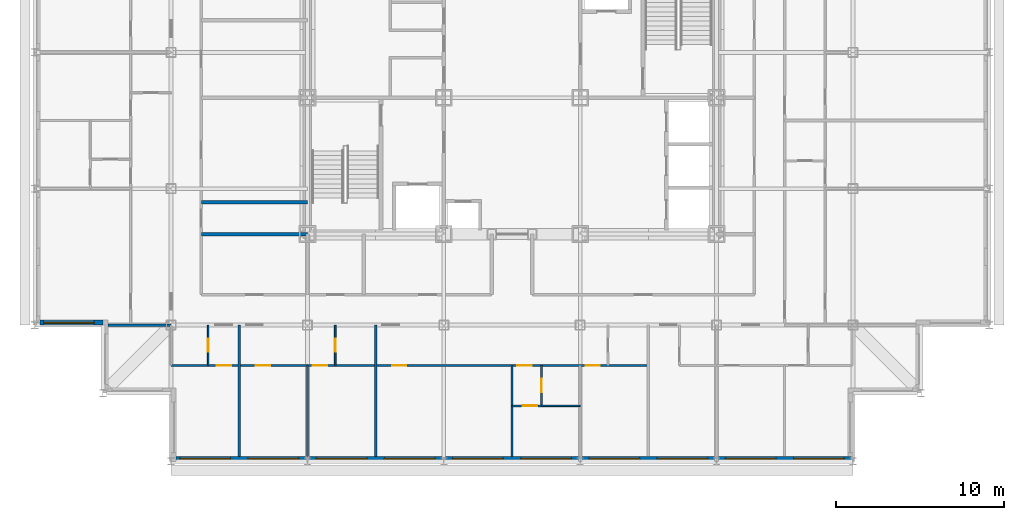
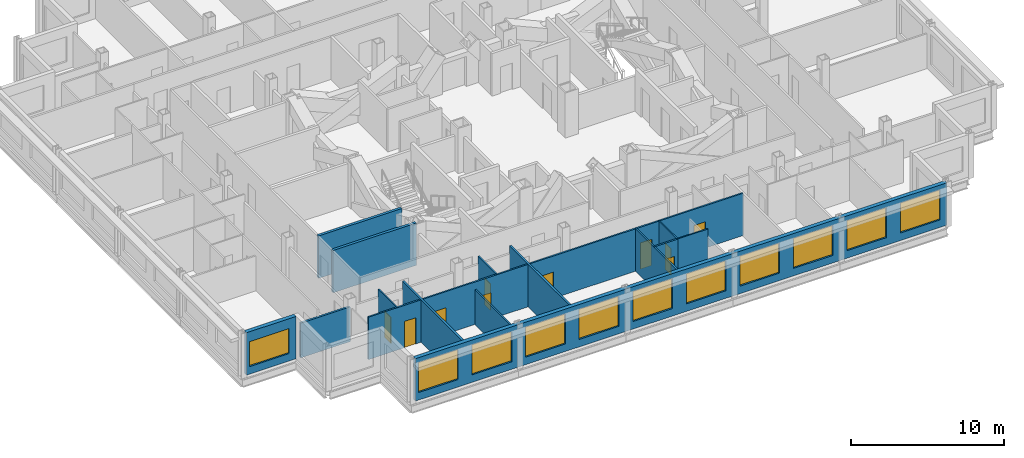
# One storey, part 4 of 12: 15 walls, 11 windows, 10 doors, 21 openings.
"""IFC4 building model written with IfcOpenShell, lengths in metres."""

from ifc_helpers import new_model, si_unit, direction, frame, frame_2d, origin, place, context, subcontext, project, spatial, rectangle, extrude, material, layer, layer_set, type_object, element, fill, save


model = new_model("IFC4")

# Units and contexts
model_context = context("Model", 3, precision=1e-05, world=origin(), true_north=direction((0.0, 1.0)))
body_context = subcontext(model_context, "Body", "Model", "MODEL_VIEW")
ifc_project = project(units=[si_unit("LENGTHUNIT", "METRE"), si_unit("AREAUNIT", "SQUARE_METRE"), si_unit("VOLUMEUNIT", "CUBIC_METRE"), si_unit("PLANEANGLEUNIT", "RADIAN"), si_unit("MASSUNIT", "GRAM", prefix="KILO")], contexts=[model_context])

# Site, building, storey
site_placement = place(None, origin())
site = spatial("IfcSite", under=ifc_project, at=site_placement, CompositionType="ELEMENT")
building_placement = place(site_placement, origin())
building = spatial("IfcBuilding", under=site, at=building_placement, Name="Kopane Lantern Tower", CompositionType="ELEMENT")
storey_placement = place(building_placement, frame((0.0, 0.0, 202.800048828125)))
storey = spatial("IfcBuildingStorey", under=building, at=storey_placement, Name="L52", CompositionType="ELEMENT", Elevation=202.800048828125)

# Walls
ifc_material_1 = material(Name="Gypsum board on steel studs", Category="steel")
ifc_layer_1 = layer(ifc_material_1, 0.1201171875)
ifc_layer_set_1 = layer_set([ifc_layer_1], Name="APARTMENT INTERNAL WALL 120")
wall_type_1 = type_object("IfcWallType", Name="APARTMENT INTERNAL WALL 120", PredefinedType="PARTITIONING", material=ifc_layer_set_1)
wall_1_placement = place(storey_placement, frame((16.199951171875, 16.5, 0.0), z_axis=(0.0, 0.0, 1.0), x_axis=(0.0, -1.0, 0.0)))
element("IfcWall", 1, at=wall_1_placement, inside=storey, type_object=wall_type_1, Name="Apartment Internal Wall 120 L52", PredefinedType="PARTITIONING", context=body_context, shape_type="SweptSolid", body=[
    extrude(rectangle(XDim=5.39990234375, YDim=0.1201171875, at=frame_2d((2.699951171875, 0.0))), origin(), (0.0, 0.0, 1.0), 2.77783203125),
])
wall_2_placement = place(storey_placement, frame((28.35009765625, 16.5, 0.0), z_axis=(0.0, 0.0, 1.0), x_axis=(0.0, -1.0, 0.0)))
element("IfcWall", 2, at=wall_2_placement, inside=storey, type_object=wall_type_1, Name="Apartment Internal Wall 120 L52", PredefinedType="PARTITIONING", context=body_context, shape_type="SweptSolid", body=[
    extrude(rectangle(XDim=5.39990234375, YDim=0.1201171875, at=frame_2d((2.699951171875, 0.0))), origin(), (0.0, 0.0, 1.0), 3.389892578125),
])

# Wall, openings, doors
wall_3_placement = place(storey_placement, frame((8.10009765625, 16.5, 0.0), z_axis=(0.0, 0.0, 1.0), x_axis=(1.0, 0.0, 0.0)))
wall_3 = element("IfcWall", 3, at=wall_3_placement, inside=storey, type_object=wall_type_1, Name="Apartment Internal Wall 120 L52", PredefinedType="PARTITIONING", context=body_context, shape_type="SweptSolid", body=[
    extrude(rectangle(XDim=28.349853515625, YDim=0.1201171875, at=frame_2d((14.1748046875, 0.0))), origin(), (0.0, 0.0, 1.0), 3.389892578125),
])
opening_1_placement = place(wall_3_placement, frame((5.02490234375, 0.0, 0.0)))
opening_1 = element("IfcOpeningElement", 4, at=opening_1_placement, cuts=wall_3, Name="Opening L52-019", PredefinedType="OPENING", context=body_context, shape_type="SweptSolid", body=[
    extrude(rectangle(XDim=0.85009765625, YDim=2.10009765625, at=frame_2d((0.425048828125, 1.050048828125))), frame((0.0, 0.070068359375, 0.0), z_axis=(0.0, -1.0, 0.0), x_axis=(1.0, 0.0, 0.0)), (0.0, 0.0, 1.0), 0.14013671875),
])
opening_2_placement = place(wall_3_placement, frame((8.425048828125, 0.0, 0.0)))
opening_2 = element("IfcOpeningElement", 5, at=opening_2_placement, cuts=wall_3, Name="Opening L52-020", PredefinedType="OPENING", context=body_context, shape_type="SweptSolid", body=[
    extrude(rectangle(XDim=0.85009765625, YDim=2.10009765625, at=frame_2d((0.425048828125, 1.050048828125))), frame((0.0, 0.070068359375, 0.0), z_axis=(0.0, -1.0, 0.0), x_axis=(1.0, 0.0, 0.0)), (0.0, 0.0, 1.0), 0.14013671875),
])
opening_3_placement = place(wall_3_placement, frame((13.125, 0.0, 0.0)))
opening_3 = element("IfcOpeningElement", 6, at=opening_3_placement, cuts=wall_3, Name="Opening L52-023", PredefinedType="OPENING", context=body_context, shape_type="SweptSolid", body=[
    extrude(rectangle(XDim=0.85009765625, YDim=2.10009765625, at=frame_2d((0.425048828125, 1.050048828125))), frame((0.0, 0.070068359375, 0.0), z_axis=(0.0, -1.0, 0.0), x_axis=(1.0, 0.0, 0.0)), (0.0, 0.0, 1.0), 0.14013671875),
])
opening_4_placement = place(wall_3_placement, frame((20.574951171875, 0.0, 0.0)))
opening_4 = element("IfcOpeningElement", 7, at=opening_4_placement, cuts=wall_3, Name="Opening L52-025", PredefinedType="OPENING", context=body_context, shape_type="SweptSolid", body=[
    extrude(rectangle(XDim=0.85009765625, YDim=2.10009765625, at=frame_2d((0.425048828125, 1.050048828125))), frame((0.0, 0.070068359375, 0.0), z_axis=(0.0, -1.0, 0.0), x_axis=(1.0, 0.0, 0.0)), (0.0, 0.0, 1.0), 0.14013671875),
])
opening_5_placement = place(wall_3_placement, frame((24.625, 0.0, 0.0)))
opening_5 = element("IfcOpeningElement", 8, at=opening_5_placement, cuts=wall_3, Name="Opening L52-026", PredefinedType="OPENING", context=body_context, shape_type="SweptSolid", body=[
    extrude(rectangle(XDim=0.85009765625, YDim=2.10009765625, at=frame_2d((0.425048828125, 1.050048828125))), frame((0.0, 0.070068359375, 0.0), z_axis=(0.0, -1.0, 0.0), x_axis=(1.0, 0.0, 0.0)), (0.0, 0.0, 1.0), 0.14013671875),
])
opening_6_placement = place(wall_3_placement, frame((2.72509765625, 0.0, 0.0)))
opening_6 = element("IfcOpeningElement", 9, at=opening_6_placement, cuts=wall_3, Name="Opening L52-065", PredefinedType="OPENING", context=body_context, shape_type="SweptSolid", body=[
    extrude(rectangle(XDim=0.85009765625, YDim=2.10009765625, at=frame_2d((0.425048828125, 1.050048828125))), frame((0.0, 0.070068359375, 0.0), z_axis=(0.0, -1.0, 0.0), x_axis=(1.0, 0.0, 0.0)), (0.0, 0.0, 1.0), 0.14013671875),
])
ifc_material_2 = material(Name="Timber door set", Category="wood")
door_type_1 = type_object("IfcDoorType", Name="DOOR D4 850x2100", OperationType="SINGLE_SWING_LEFT", PredefinedType="DOOR", material=ifc_material_2)
door_1_placement = place(opening_1_placement, origin())
door_1 = element("IfcDoor", 10, at=door_1_placement, inside=storey, type_object=door_type_1, Name="Door L52-019", OperationType="SINGLE_SWING_LEFT", OverallHeight=2.10009765625, OverallWidth=0.85009765625, PredefinedType="DOOR", context=body_context, shape_type="SweptSolid", body=[
    extrude(rectangle(XDim=0.85009765625, YDim=2.10009765625, at=frame_2d((0.425048828125, 1.050048828125))), frame((0.0, 0.02490234375, 0.0), z_axis=(0.0, -1.0, 0.0), x_axis=(1.0, 0.0, 0.0)), (0.0, 0.0, 1.0), 0.050048828125),
])
fill(opening_1, door_1)
door_2_placement = place(opening_2_placement, origin())
door_2 = element("IfcDoor", 11, at=door_2_placement, inside=storey, type_object=door_type_1, Name="Door L52-020", OperationType="SINGLE_SWING_RIGHT", OverallHeight=2.10009765625, OverallWidth=0.85009765625, PredefinedType="DOOR", context=body_context, shape_type="SweptSolid", body=[
    extrude(rectangle(XDim=0.85009765625, YDim=2.10009765625, at=frame_2d((0.425048828125, 1.050048828125))), frame((0.0, 0.02490234375, 0.0), z_axis=(0.0, -1.0, 0.0), x_axis=(1.0, 0.0, 0.0)), (0.0, 0.0, 1.0), 0.050048828125),
])
fill(opening_2, door_2)
door_3_placement = place(opening_3_placement, origin())
door_3 = element("IfcDoor", 12, at=door_3_placement, inside=storey, type_object=door_type_1, Name="Door L52-023", OperationType="SINGLE_SWING_RIGHT", OverallHeight=2.10009765625, OverallWidth=0.85009765625, PredefinedType="DOOR", context=body_context, shape_type="SweptSolid", body=[
    extrude(rectangle(XDim=0.85009765625, YDim=2.10009765625, at=frame_2d((0.425048828125, 1.050048828125))), frame((0.0, 0.02490234375, 0.0), z_axis=(0.0, -1.0, 0.0), x_axis=(1.0, 0.0, 0.0)), (0.0, 0.0, 1.0), 0.050048828125),
])
fill(opening_3, door_3)
door_4_placement = place(opening_4_placement, origin())
door_4 = element("IfcDoor", 13, at=door_4_placement, inside=storey, type_object=door_type_1, Name="Door L52-025", OperationType="SINGLE_SWING_RIGHT", OverallHeight=2.10009765625, OverallWidth=0.85009765625, PredefinedType="DOOR", context=body_context, shape_type="SweptSolid", body=[
    extrude(rectangle(XDim=0.85009765625, YDim=2.10009765625, at=frame_2d((0.425048828125, 1.050048828125))), frame((0.0, 0.02490234375, 0.0), z_axis=(0.0, -1.0, 0.0), x_axis=(1.0, 0.0, 0.0)), (0.0, 0.0, 1.0), 0.050048828125),
])
fill(opening_4, door_4)
door_5_placement = place(opening_5_placement, origin())
door_5 = element("IfcDoor", 14, at=door_5_placement, inside=storey, type_object=door_type_1, Name="Door L52-026", OperationType="SINGLE_SWING_RIGHT", OverallHeight=2.10009765625, OverallWidth=0.85009765625, PredefinedType="DOOR", context=body_context, shape_type="SweptSolid", body=[
    extrude(rectangle(XDim=0.85009765625, YDim=2.10009765625, at=frame_2d((0.425048828125, 1.050048828125))), frame((0.0, 0.02490234375, 0.0), z_axis=(0.0, -1.0, 0.0), x_axis=(1.0, 0.0, 0.0)), (0.0, 0.0, 1.0), 0.050048828125),
])
fill(opening_5, door_5)
door_6_placement = place(opening_6_placement, origin())
door_6 = element("IfcDoor", 15, at=door_6_placement, inside=storey, type_object=door_type_1, Name="Door L52-065", OperationType="SINGLE_SWING_LEFT", OverallHeight=2.10009765625, OverallWidth=0.85009765625, PredefinedType="DOOR", context=body_context, shape_type="SweptSolid", body=[
    extrude(rectangle(XDim=0.85009765625, YDim=2.10009765625, at=frame_2d((0.425048828125, 1.050048828125))), frame((0.0, 0.02490234375, 0.0), z_axis=(0.0, -1.0, 0.0), x_axis=(1.0, 0.0, 0.0)), (0.0, 0.0, 1.0), 0.050048828125),
])
fill(opening_6, door_6)

# Wall, opening, door
wall_4_placement = place(storey_placement, frame((30.110107421875, 14.10009765625, 0.0), z_axis=(0.0, 0.0, 1.0), x_axis=(-1.0, 0.0, 0.0)))
wall_4 = element("IfcWall", 16, at=wall_4_placement, inside=storey, type_object=wall_type_1, Name="Apartment Internal Wall 120 L52", PredefinedType="PARTITIONING", context=body_context, shape_type="SweptSolid", body=[
    extrude(rectangle(XDim=1.760009765625, YDim=0.1201171875, at=frame_2d((0.8798828125, 0.0))), origin(), (0.0, 0.0, 1.0), 3.389892578125),
])
opening_7_placement = place(wall_4_placement, frame((0.27490234375, 0.0, 0.0)))
opening_7 = element("IfcOpeningElement", 17, at=opening_7_placement, cuts=wall_4, Name="Opening L52-080", PredefinedType="OPENING", context=body_context, shape_type="SweptSolid", body=[
    extrude(rectangle(XDim=0.85009765625, YDim=2.10009765625, at=frame_2d((0.425048828125, 1.050048828125))), frame((0.0, 0.070068359375, 0.0), z_axis=(0.0, -1.0, 0.0), x_axis=(1.0, 0.0, 0.0)), (0.0, 0.0, 1.0), 0.14013671875),
])
door_7_placement = place(opening_7_placement, origin())
door_7 = element("IfcDoor", 18, at=door_7_placement, inside=storey, type_object=door_type_1, Name="Door L52-080", OperationType="SINGLE_SWING_RIGHT", OverallHeight=2.10009765625, OverallWidth=0.85009765625, PredefinedType="DOOR", context=body_context, shape_type="SweptSolid", body=[
    extrude(rectangle(XDim=0.85009765625, YDim=2.10009765625, at=frame_2d((0.425048828125, 1.050048828125))), frame((0.0, 0.02490234375, 0.0), z_axis=(0.0, -1.0, 0.0), x_axis=(1.0, 0.0, 0.0)), (0.0, 0.0, 1.0), 0.050048828125),
])
fill(opening_7, door_7)

ifc_material_3 = material(Name="Moisture-resistant board on steel studs", Category="steel")
ifc_layer_2 = layer(ifc_material_3, 0.10009765625)
ifc_layer_set_2 = layer_set([ifc_layer_2], Name="BATHROOM WALL 100")
wall_type_2 = type_object("IfcWallType", Name="BATHROOM WALL 100", PredefinedType="PARTITIONING", material=ifc_layer_set_2)
wall_5_placement = place(storey_placement, frame((17.85009765625, 18.89990234375, 0.0), z_axis=(0.0, 0.0, 1.0), x_axis=(0.0, -1.0, 0.0)))
wall_5 = element("IfcWall", 19, at=wall_5_placement, inside=storey, type_object=wall_type_2, Name="Bathroom Wall 100 L52", PredefinedType="PARTITIONING", context=body_context, shape_type="SweptSolid", body=[
    extrude(rectangle(XDim=2.39990234375, YDim=0.10009765625, at=frame_2d((1.199951171875, 0.0))), origin(), (0.0, 0.0, 1.0), 3.389892578125),
])
opening_8_placement = place(wall_5_placement, frame((0.800048828125, 0.0, 0.0)))
opening_8 = element("IfcOpeningElement", 20, at=opening_8_placement, cuts=wall_5, Name="Opening L52-017", PredefinedType="OPENING", context=body_context, shape_type="SweptSolid", body=[
    extrude(rectangle(XDim=0.800048828125, YDim=2.10009765625, at=frame_2d((0.39990234375, 1.050048828125))), frame((0.0, 0.06005859375, 0.0), z_axis=(0.0, -1.0, 0.0), x_axis=(1.0, 0.0, 0.0)), (0.0, 0.0, 1.0), 0.1201171875),
])
ifc_material_4 = material(Name="Timber door set", Category="wood")
door_type_2 = type_object("IfcDoorType", Name="DOOR D2 800x2100", OperationType="SINGLE_SWING_LEFT", PredefinedType="DOOR", material=ifc_material_4)
door_8_placement = place(opening_8_placement, origin())
door_8 = element("IfcDoor", 21, at=door_8_placement, inside=storey, type_object=door_type_2, Name="Door L52-017", OperationType="SINGLE_SWING_LEFT", OverallHeight=2.10009765625, OverallWidth=0.800048828125, PredefinedType="DOOR", context=body_context, shape_type="SweptSolid", body=[
    extrude(rectangle(XDim=0.800048828125, YDim=2.10009765625, at=frame_2d((0.39990234375, 1.050048828125))), frame((0.0, 0.02490234375, 0.0), z_axis=(0.0, -1.0, 0.0), x_axis=(1.0, 0.0, 0.0)), (0.0, 0.0, 1.0), 0.050048828125),
])
fill(opening_8, door_8)

wall_6_placement = place(storey_placement, frame((30.10009765625, 16.5, 0.0), z_axis=(0.0, 0.0, 1.0), x_axis=(0.0, -1.0, 0.0)))
wall_6 = element("IfcWall", 22, at=wall_6_placement, inside=storey, type_object=wall_type_2, Name="Bathroom Wall 100 L52", PredefinedType="PARTITIONING", context=body_context, shape_type="SweptSolid", body=[
    extrude(rectangle(XDim=2.39990234375, YDim=0.10009765625, at=frame_2d((1.199951171875, 0.0))), origin(), (0.0, 0.0, 1.0), 3.389892578125),
])
opening_9_placement = place(wall_6_placement, frame((0.800048828125, 0.0, 0.0)))
opening_9 = element("IfcOpeningElement", 23, at=opening_9_placement, cuts=wall_6, Name="Opening L52-024", PredefinedType="OPENING", context=body_context, shape_type="SweptSolid", body=[
    extrude(rectangle(XDim=0.800048828125, YDim=2.10009765625, at=frame_2d((0.39990234375, 1.050048828125))), frame((0.0, 0.06005859375, 0.0), z_axis=(0.0, -1.0, 0.0), x_axis=(1.0, 0.0, 0.0)), (0.0, 0.0, 1.0), 0.1201171875),
])
door_9_placement = place(opening_9_placement, origin())
door_9 = element("IfcDoor", 24, at=door_9_placement, inside=storey, type_object=door_type_2, Name="Door L52-024", OperationType="SINGLE_SWING_LEFT", OverallHeight=2.10009765625, OverallWidth=0.800048828125, PredefinedType="DOOR", context=body_context, shape_type="SweptSolid", body=[
    extrude(rectangle(XDim=0.800048828125, YDim=2.10009765625, at=frame_2d((0.39990234375, 1.050048828125))), frame((0.0, 0.02490234375, 0.0), z_axis=(0.0, -1.0, 0.0), x_axis=(1.0, 0.0, 0.0)), (0.0, 0.0, 1.0), 0.050048828125),
])
fill(opening_9, door_9)

# Wall
wall_7_placement = place(storey_placement, frame((30.10009765625, 14.10009765625, 0.0), z_axis=(0.0, 0.0, 1.0), x_axis=(1.0, 0.0, 0.0)))
element("IfcWall", 25, at=wall_7_placement, inside=storey, type_object=wall_type_2, Name="Bathroom Wall 100 L52", PredefinedType="PARTITIONING", context=body_context, shape_type="SweptSolid", body=[
    extrude(rectangle(XDim=2.2998046875, YDim=0.10009765625, at=frame_2d((1.14990234375, 0.0))), origin(), (0.0, 0.0, 1.0), 3.389892578125),
])

# Wall, opening, door
wall_8_placement = place(storey_placement, frame((10.300048828125, 18.89990234375, 0.0), z_axis=(0.0, 0.0, 1.0), x_axis=(0.0, -1.0, 0.0)))
wall_8 = element("IfcWall", 26, at=wall_8_placement, inside=storey, type_object=wall_type_2, Name="Bathroom Wall 100 L52", PredefinedType="PARTITIONING", context=body_context, shape_type="SweptSolid", body=[
    extrude(rectangle(XDim=2.39990234375, YDim=0.10009765625, at=frame_2d((1.199951171875, 0.0))), origin(), (0.0, 0.0, 1.0), 3.389892578125),
])
opening_10_placement = place(wall_8_placement, frame((0.800048828125, 0.0, 0.0)))
opening_10 = element("IfcOpeningElement", 27, at=opening_10_placement, cuts=wall_8, Name="Opening L52-063", PredefinedType="OPENING", context=body_context, shape_type="SweptSolid", body=[
    extrude(rectangle(XDim=0.800048828125, YDim=2.10009765625, at=frame_2d((0.39990234375, 1.050048828125))), frame((0.0, 0.06005859375, 0.0), z_axis=(0.0, -1.0, 0.0), x_axis=(1.0, 0.0, 0.0)), (0.0, 0.0, 1.0), 0.1201171875),
])
door_10_placement = place(opening_10_placement, origin())
door_10 = element("IfcDoor", 28, at=door_10_placement, inside=storey, type_object=door_type_2, Name="Door L52-063", OperationType="SINGLE_SWING_RIGHT", OverallHeight=2.10009765625, OverallWidth=0.800048828125, PredefinedType="DOOR", context=body_context, shape_type="SweptSolid", body=[
    extrude(rectangle(XDim=0.800048828125, YDim=2.10009765625, at=frame_2d((0.39990234375, 1.050048828125))), frame((0.0, 0.02490234375, 0.0), z_axis=(0.0, -1.0, 0.0), x_axis=(1.0, 0.0, 0.0)), (0.0, 0.0, 1.0), 0.050048828125),
])
fill(opening_10, door_10)

# Walls
ifc_material_5 = material(Name="Gypsum board on steel studs", Category="steel")
ifc_layer_3 = layer(ifc_material_5, 0.14990234375)
ifc_layer_set_3 = layer_set([ifc_layer_3], Name="DEMISING WALL 150 EI 60")
wall_type_3 = type_object("IfcWallType", Name="DEMISING WALL 150 EI 60", PredefinedType="PARTITIONING", material=ifc_layer_set_3)
wall_9_placement = place(storey_placement, frame((20.25, 18.89990234375, 0.0), z_axis=(0.0, 0.0, 1.0), x_axis=(0.0, -1.0, 0.0)))
element("IfcWall", 29, at=wall_9_placement, inside=storey, type_object=wall_type_3, Name="Demising Wall 150 Ei 60 L52", PredefinedType="PARTITIONING", context=body_context, shape_type="SweptSolid", body=[
    extrude(rectangle(XDim=7.7998046875, YDim=0.14990234375, at=frame_2d((3.89990234375, 0.0))), origin(), (0.0, 0.0, 1.0), 3.389892578125),
])
wall_10_placement = place(storey_placement, frame((4.35009765625, 18.89990234375, 0.0), z_axis=(0.0, 0.0, 1.0), x_axis=(1.0, 0.0, 0.0)))
element("IfcWall", 30, at=wall_10_placement, inside=storey, type_object=wall_type_3, Name="Demising Wall 150 Ei 60 L52", PredefinedType="PARTITIONING", context=body_context, shape_type="SweptSolid", body=[
    extrude(rectangle(XDim=3.75, YDim=0.14990234375, at=frame_2d((1.875, 0.0))), origin(), (0.0, 0.0, 1.0), 2.77783203125),
])
wall_11_placement = place(storey_placement, frame((12.14990234375, 18.89990234375, 0.0), z_axis=(0.0, 0.0, 1.0), x_axis=(0.0, -1.0, 0.0)))
element("IfcWall", 31, at=wall_11_placement, inside=storey, type_object=wall_type_3, Name="Demising Wall 150 Ei 60 L52", PredefinedType="PARTITIONING", context=body_context, shape_type="SweptSolid", body=[
    extrude(rectangle(XDim=7.7998046875, YDim=0.14990234375, at=frame_2d((3.89990234375, 0.0))), origin(), (0.0, 0.0, 1.0), 3.389892578125),
])

# Wall, openings, windows
ifc_material_6 = material(Name="Terracotta rainscreen on light steel framing", Category="masonry")
ifc_layer_4 = layer(ifc_material_6, 0.300048828125)
ifc_layer_set_4 = layer_set([ifc_layer_4], Name="EXTERNAL WALL EW1 300 TERRACOTTA")
wall_type_4 = type_object("IfcWallType", Name="EXTERNAL WALL EW1 300 TERRACOTTA", PredefinedType="SOLIDWALL", material=ifc_layer_set_4)
wall_12_placement = place(storey_placement, frame((8.39990234375, 10.949951171875, 0.0), z_axis=(0.0, 0.0, 1.0), x_axis=(1.0, 0.0, 0.0)))
wall_12 = element("IfcWall", 32, at=wall_12_placement, inside=storey, type_object=wall_type_4, Name="External wall S L52", PredefinedType="SOLIDWALL", context=body_context, shape_type="SweptSolid", body=[
    extrude(rectangle(XDim=40.2001953125, YDim=0.300048828125, at=frame_2d((20.10009765625, 0.0))), origin(), (0.0, 0.0, 1.0), 3.389892578125),
])
opening_11_placement = place(wall_12_placement, frame((0.22509765625, 0.0, 0.60009765625)))
opening_11 = element("IfcOpeningElement", 33, at=opening_11_placement, cuts=wall_12, Name="Opening WR300240", PredefinedType="OPENING", context=body_context, shape_type="SweptSolid", body=[
    extrude(rectangle(XDim=3.0, YDim=2.39990234375, at=frame_2d((1.5, 1.199951171875))), frame((0.0, 0.159912109375, 0.0), z_axis=(0.0, -1.0, 0.0), x_axis=(1.0, 0.0, 0.0)), (0.0, 0.0, 1.0), 0.320068359375),
])
opening_12_placement = place(wall_12_placement, frame((4.27490234375, 0.0, 0.60009765625)))
opening_12 = element("IfcOpeningElement", 34, at=opening_12_placement, cuts=wall_12, Name="Opening WR300240", PredefinedType="OPENING", context=body_context, shape_type="SweptSolid", body=[
    extrude(rectangle(XDim=3.0, YDim=2.39990234375, at=frame_2d((1.5, 1.199951171875))), frame((0.0, 0.159912109375, 0.0), z_axis=(0.0, -1.0, 0.0), x_axis=(1.0, 0.0, 0.0)), (0.0, 0.0, 1.0), 0.320068359375),
])
opening_13_placement = place(wall_12_placement, frame((8.324951171875, 0.0, 0.60009765625)))
opening_13 = element("IfcOpeningElement", 35, at=opening_13_placement, cuts=wall_12, Name="Opening WR300240", PredefinedType="OPENING", context=body_context, shape_type="SweptSolid", body=[
    extrude(rectangle(XDim=3.0, YDim=2.39990234375, at=frame_2d((1.5, 1.199951171875))), frame((0.0, 0.159912109375, 0.0), z_axis=(0.0, -1.0, 0.0), x_axis=(1.0, 0.0, 0.0)), (0.0, 0.0, 1.0), 0.320068359375),
])
opening_14_placement = place(wall_12_placement, frame((12.375, 0.0, 0.60009765625)))
opening_14 = element("IfcOpeningElement", 36, at=opening_14_placement, cuts=wall_12, Name="Opening WR300240", PredefinedType="OPENING", context=body_context, shape_type="SweptSolid", body=[
    extrude(rectangle(XDim=3.0, YDim=2.39990234375, at=frame_2d((1.5, 1.199951171875))), frame((0.0, 0.159912109375, 0.0), z_axis=(0.0, -1.0, 0.0), x_axis=(1.0, 0.0, 0.0)), (0.0, 0.0, 1.0), 0.320068359375),
])
opening_15_placement = place(wall_12_placement, frame((16.425048828125, 0.0, 0.60009765625)))
opening_15 = element("IfcOpeningElement", 37, at=opening_15_placement, cuts=wall_12, Name="Opening WR300240", PredefinedType="OPENING", context=body_context, shape_type="SweptSolid", body=[
    extrude(rectangle(XDim=3.0, YDim=2.39990234375, at=frame_2d((1.5, 1.199951171875))), frame((0.0, 0.159912109375, 0.0), z_axis=(0.0, -1.0, 0.0), x_axis=(1.0, 0.0, 0.0)), (0.0, 0.0, 1.0), 0.320068359375),
])
opening_16_placement = place(wall_12_placement, frame((20.47509765625, 0.0, 0.60009765625)))
opening_16 = element("IfcOpeningElement", 38, at=opening_16_placement, cuts=wall_12, Name="Opening WR300240", PredefinedType="OPENING", context=body_context, shape_type="SweptSolid", body=[
    extrude(rectangle(XDim=3.0, YDim=2.39990234375, at=frame_2d((1.5, 1.199951171875))), frame((0.0, 0.159912109375, 0.0), z_axis=(0.0, -1.0, 0.0), x_axis=(1.0, 0.0, 0.0)), (0.0, 0.0, 1.0), 0.320068359375),
])
opening_17_placement = place(wall_12_placement, frame((24.52490234375, 0.0, 0.60009765625)))
opening_17 = element("IfcOpeningElement", 39, at=opening_17_placement, cuts=wall_12, Name="Opening WR300240", PredefinedType="OPENING", context=body_context, shape_type="SweptSolid", body=[
    extrude(rectangle(XDim=3.0, YDim=2.39990234375, at=frame_2d((1.5, 1.199951171875))), frame((0.0, 0.159912109375, 0.0), z_axis=(0.0, -1.0, 0.0), x_axis=(1.0, 0.0, 0.0)), (0.0, 0.0, 1.0), 0.320068359375),
])
opening_18_placement = place(wall_12_placement, frame((28.574951171875, 0.0, 0.60009765625)))
opening_18 = element("IfcOpeningElement", 40, at=opening_18_placement, cuts=wall_12, Name="Opening WR300240", PredefinedType="OPENING", context=body_context, shape_type="SweptSolid", body=[
    extrude(rectangle(XDim=3.0, YDim=2.39990234375, at=frame_2d((1.5, 1.199951171875))), frame((0.0, 0.159912109375, 0.0), z_axis=(0.0, -1.0, 0.0), x_axis=(1.0, 0.0, 0.0)), (0.0, 0.0, 1.0), 0.320068359375),
])
opening_19_placement = place(wall_12_placement, frame((32.625, 0.0, 0.60009765625)))
opening_19 = element("IfcOpeningElement", 41, at=opening_19_placement, cuts=wall_12, Name="Opening WR300240", PredefinedType="OPENING", context=body_context, shape_type="SweptSolid", body=[
    extrude(rectangle(XDim=3.0, YDim=2.39990234375, at=frame_2d((1.5, 1.199951171875))), frame((0.0, 0.159912109375, 0.0), z_axis=(0.0, -1.0, 0.0), x_axis=(1.0, 0.0, 0.0)), (0.0, 0.0, 1.0), 0.320068359375),
])
opening_20_placement = place(wall_12_placement, frame((36.675048828125, 0.0, 0.60009765625)))
opening_20 = element("IfcOpeningElement", 42, at=opening_20_placement, cuts=wall_12, Name="Opening WR300240", PredefinedType="OPENING", context=body_context, shape_type="SweptSolid", body=[
    extrude(rectangle(XDim=3.0, YDim=2.39990234375, at=frame_2d((1.5, 1.199951171875))), frame((0.0, 0.159912109375, 0.0), z_axis=(0.0, -1.0, 0.0), x_axis=(1.0, 0.0, 0.0)), (0.0, 0.0, 1.0), 0.320068359375),
])
ifc_material_7 = material(Name="Aluminium and clear glass", Category="aluminium")
window_type_1 = type_object("IfcWindowType", Name="RIBBON WINDOW WR300240 3000x2400", PartitioningType="SINGLE_PANEL", PredefinedType="WINDOW", material=ifc_material_7)
window_1_placement = place(opening_11_placement, origin())
window_1 = element("IfcWindow", 43, at=window_1_placement, inside=storey, type_object=window_type_1, Name="Window S L52", OverallHeight=2.39990234375, OverallWidth=3.0, PartitioningType="SINGLE_PANEL", PredefinedType="WINDOW", context=body_context, shape_type="SweptSolid", body=[
    extrude(rectangle(XDim=3.0, YDim=2.39990234375, at=frame_2d((1.5, 1.199951171875))), frame((0.0, 0.030029296875, 0.0), z_axis=(0.0, -1.0, 0.0), x_axis=(1.0, 0.0, 0.0)), (0.0, 0.0, 1.0), 0.06005859375),
])
fill(opening_11, window_1)
window_2_placement = place(opening_12_placement, origin())
window_2 = element("IfcWindow", 44, at=window_2_placement, inside=storey, type_object=window_type_1, Name="Window S L52", OverallHeight=2.39990234375, OverallWidth=3.0, PartitioningType="SINGLE_PANEL", PredefinedType="WINDOW", context=body_context, shape_type="SweptSolid", body=[
    extrude(rectangle(XDim=3.0, YDim=2.39990234375, at=frame_2d((1.5, 1.199951171875))), frame((0.0, 0.030029296875, 0.0), z_axis=(0.0, -1.0, 0.0), x_axis=(1.0, 0.0, 0.0)), (0.0, 0.0, 1.0), 0.06005859375),
])
fill(opening_12, window_2)
window_3_placement = place(opening_13_placement, origin())
window_3 = element("IfcWindow", 45, at=window_3_placement, inside=storey, type_object=window_type_1, Name="Window S L52", OverallHeight=2.39990234375, OverallWidth=3.0, PartitioningType="SINGLE_PANEL", PredefinedType="WINDOW", context=body_context, shape_type="SweptSolid", body=[
    extrude(rectangle(XDim=3.0, YDim=2.39990234375, at=frame_2d((1.5, 1.199951171875))), frame((0.0, 0.030029296875, 0.0), z_axis=(0.0, -1.0, 0.0), x_axis=(1.0, 0.0, 0.0)), (0.0, 0.0, 1.0), 0.06005859375),
])
fill(opening_13, window_3)
window_4_placement = place(opening_14_placement, origin())
window_4 = element("IfcWindow", 46, at=window_4_placement, inside=storey, type_object=window_type_1, Name="Window S L52", OverallHeight=2.39990234375, OverallWidth=3.0, PartitioningType="SINGLE_PANEL", PredefinedType="WINDOW", context=body_context, shape_type="SweptSolid", body=[
    extrude(rectangle(XDim=3.0, YDim=2.39990234375, at=frame_2d((1.5, 1.199951171875))), frame((0.0, 0.030029296875, 0.0), z_axis=(0.0, -1.0, 0.0), x_axis=(1.0, 0.0, 0.0)), (0.0, 0.0, 1.0), 0.06005859375),
])
fill(opening_14, window_4)
window_5_placement = place(opening_15_placement, origin())
window_5 = element("IfcWindow", 47, at=window_5_placement, inside=storey, type_object=window_type_1, Name="Window S L52", OverallHeight=2.39990234375, OverallWidth=3.0, PartitioningType="SINGLE_PANEL", PredefinedType="WINDOW", context=body_context, shape_type="SweptSolid", body=[
    extrude(rectangle(XDim=3.0, YDim=2.39990234375, at=frame_2d((1.5, 1.199951171875))), frame((0.0, 0.030029296875, 0.0), z_axis=(0.0, -1.0, 0.0), x_axis=(1.0, 0.0, 0.0)), (0.0, 0.0, 1.0), 0.06005859375),
])
fill(opening_15, window_5)
window_6_placement = place(opening_16_placement, origin())
window_6 = element("IfcWindow", 48, at=window_6_placement, inside=storey, type_object=window_type_1, Name="Window S L52", OverallHeight=2.39990234375, OverallWidth=3.0, PartitioningType="SINGLE_PANEL", PredefinedType="WINDOW", context=body_context, shape_type="SweptSolid", body=[
    extrude(rectangle(XDim=3.0, YDim=2.39990234375, at=frame_2d((1.5, 1.199951171875))), frame((0.0, 0.030029296875, 0.0), z_axis=(0.0, -1.0, 0.0), x_axis=(1.0, 0.0, 0.0)), (0.0, 0.0, 1.0), 0.06005859375),
])
fill(opening_16, window_6)
window_7_placement = place(opening_17_placement, origin())
window_7 = element("IfcWindow", 49, at=window_7_placement, inside=storey, type_object=window_type_1, Name="Window S L52", OverallHeight=2.39990234375, OverallWidth=3.0, PartitioningType="SINGLE_PANEL", PredefinedType="WINDOW", context=body_context, shape_type="SweptSolid", body=[
    extrude(rectangle(XDim=3.0, YDim=2.39990234375, at=frame_2d((1.5, 1.199951171875))), frame((0.0, 0.030029296875, 0.0), z_axis=(0.0, -1.0, 0.0), x_axis=(1.0, 0.0, 0.0)), (0.0, 0.0, 1.0), 0.06005859375),
])
fill(opening_17, window_7)
window_8_placement = place(opening_18_placement, origin())
window_8 = element("IfcWindow", 50, at=window_8_placement, inside=storey, type_object=window_type_1, Name="Window S L52", OverallHeight=2.39990234375, OverallWidth=3.0, PartitioningType="SINGLE_PANEL", PredefinedType="WINDOW", context=body_context, shape_type="SweptSolid", body=[
    extrude(rectangle(XDim=3.0, YDim=2.39990234375, at=frame_2d((1.5, 1.199951171875))), frame((0.0, 0.030029296875, 0.0), z_axis=(0.0, -1.0, 0.0), x_axis=(1.0, 0.0, 0.0)), (0.0, 0.0, 1.0), 0.06005859375),
])
fill(opening_18, window_8)
window_9_placement = place(opening_19_placement, origin())
window_9 = element("IfcWindow", 51, at=window_9_placement, inside=storey, type_object=window_type_1, Name="Window S L52", OverallHeight=2.39990234375, OverallWidth=3.0, PartitioningType="SINGLE_PANEL", PredefinedType="WINDOW", context=body_context, shape_type="SweptSolid", body=[
    extrude(rectangle(XDim=3.0, YDim=2.39990234375, at=frame_2d((1.5, 1.199951171875))), frame((0.0, 0.030029296875, 0.0), z_axis=(0.0, -1.0, 0.0), x_axis=(1.0, 0.0, 0.0)), (0.0, 0.0, 1.0), 0.06005859375),
])
fill(opening_19, window_9)
window_10_placement = place(opening_20_placement, origin())
window_10 = element("IfcWindow", 52, at=window_10_placement, inside=storey, type_object=window_type_1, Name="Window S L52", OverallHeight=2.39990234375, OverallWidth=3.0, PartitioningType="SINGLE_PANEL", PredefinedType="WINDOW", context=body_context, shape_type="SweptSolid", body=[
    extrude(rectangle(XDim=3.0, YDim=2.39990234375, at=frame_2d((1.5, 1.199951171875))), frame((0.0, 0.030029296875, 0.0), z_axis=(0.0, -1.0, 0.0), x_axis=(1.0, 0.0, 0.0)), (0.0, 0.0, 1.0), 0.06005859375),
])
fill(opening_20, window_10)

# Wall, opening, window
wall_13_placement = place(storey_placement, frame((0.300048828125, 19.050048828125, 0.0), z_axis=(0.0, 0.0, 1.0), x_axis=(1.0, 0.0, 0.0)))
wall_13 = element("IfcWall", 53, at=wall_13_placement, inside=storey, type_object=wall_type_4, Name="External wall S L52", PredefinedType="SOLIDWALL", context=body_context, shape_type="SweptSolid", body=[
    extrude(rectangle(XDim=3.75, YDim=0.300048828125, at=frame_2d((1.875, 0.0))), origin(), (0.0, 0.0, 1.0), 3.389892578125),
])
opening_21_placement = place(wall_13_placement, frame((0.22509765625, 0.0, 0.60009765625)))
opening_21 = element("IfcOpeningElement", 54, at=opening_21_placement, cuts=wall_13, Name="Opening WR300200", PredefinedType="OPENING", context=body_context, shape_type="SweptSolid", body=[
    extrude(rectangle(XDim=3.0, YDim=2.0, at=frame_2d((1.5, 1.0))), frame((0.0, 0.159912109375, 0.0), z_axis=(0.0, -1.0, 0.0), x_axis=(1.0, 0.0, 0.0)), (0.0, 0.0, 1.0), 0.320068359375),
])
ifc_material_8 = material(Name="Aluminium and clear glass", Category="aluminium")
window_type_2 = type_object("IfcWindowType", Name="RIBBON WINDOW WR300200 3000x2000", PartitioningType="SINGLE_PANEL", PredefinedType="WINDOW", material=ifc_material_8)
window_11_placement = place(opening_21_placement, origin())
window_11 = element("IfcWindow", 55, at=window_11_placement, inside=storey, type_object=window_type_2, Name="Window S L52", OverallHeight=2.0, OverallWidth=3.0, PartitioningType="SINGLE_PANEL", PredefinedType="WINDOW", context=body_context, shape_type="SweptSolid", body=[
    extrude(rectangle(XDim=3.0, YDim=2.0, at=frame_2d((1.5, 1.0))), frame((0.0, 0.030029296875, 0.0), z_axis=(0.0, -1.0, 0.0), x_axis=(1.0, 0.0, 0.0)), (0.0, 0.0, 1.0), 0.06005859375),
])
fill(opening_21, window_11)

# Walls
ifc_material_9 = material(Name="Concrete masonry", Category="masonry")
ifc_layer_5 = layer(ifc_material_9, 0.199951171875)
ifc_layer_set_5 = layer_set([ifc_layer_5], Name="PLANT ROOM WALL 200 EI 120")
wall_type_5 = type_object("IfcWallType", Name="PLANT ROOM WALL 200 EI 120", PredefinedType="SOLIDWALL", material=ifc_layer_set_5)
for number, where, z_axis, x_axis, name in (
    (56, (9.89990234375, 26.204833984375, 0.0), (0.0, 0.0, 1.0), (1.0, 0.0, 0.0), "Plant Room Wall 200 Ei 120 L52"),
    (57, (9.89990234375, 24.300048828125, 0.0), (0.0, 0.0, 1.0), (1.0, 0.0, 0.0), "Plant Room Wall 200 Ei 120 L52"),
):
    element("IfcWall", number, at=place(storey_placement, frame(where, z_axis=z_axis, x_axis=x_axis)), inside=storey, type_object=wall_type_5, Name=name, PredefinedType="SOLIDWALL", context=body_context, shape_type="SweptSolid", body=[
        extrude(rectangle(XDim=6.300048828125, YDim=0.199951171875, at=frame_2d((3.14990234375, 0.0))), origin(), (0.0, 0.0, 1.0), 3.389892578125),
    ])

save(model, "model.ifc")
